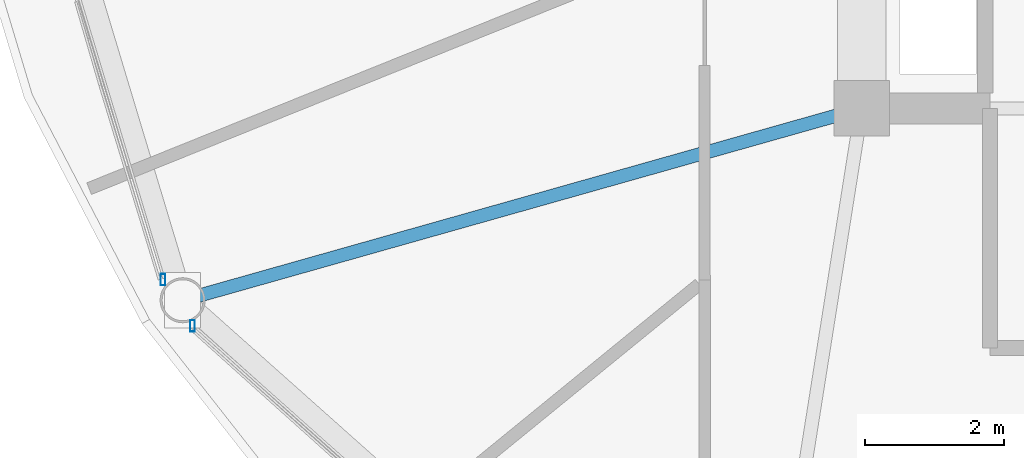
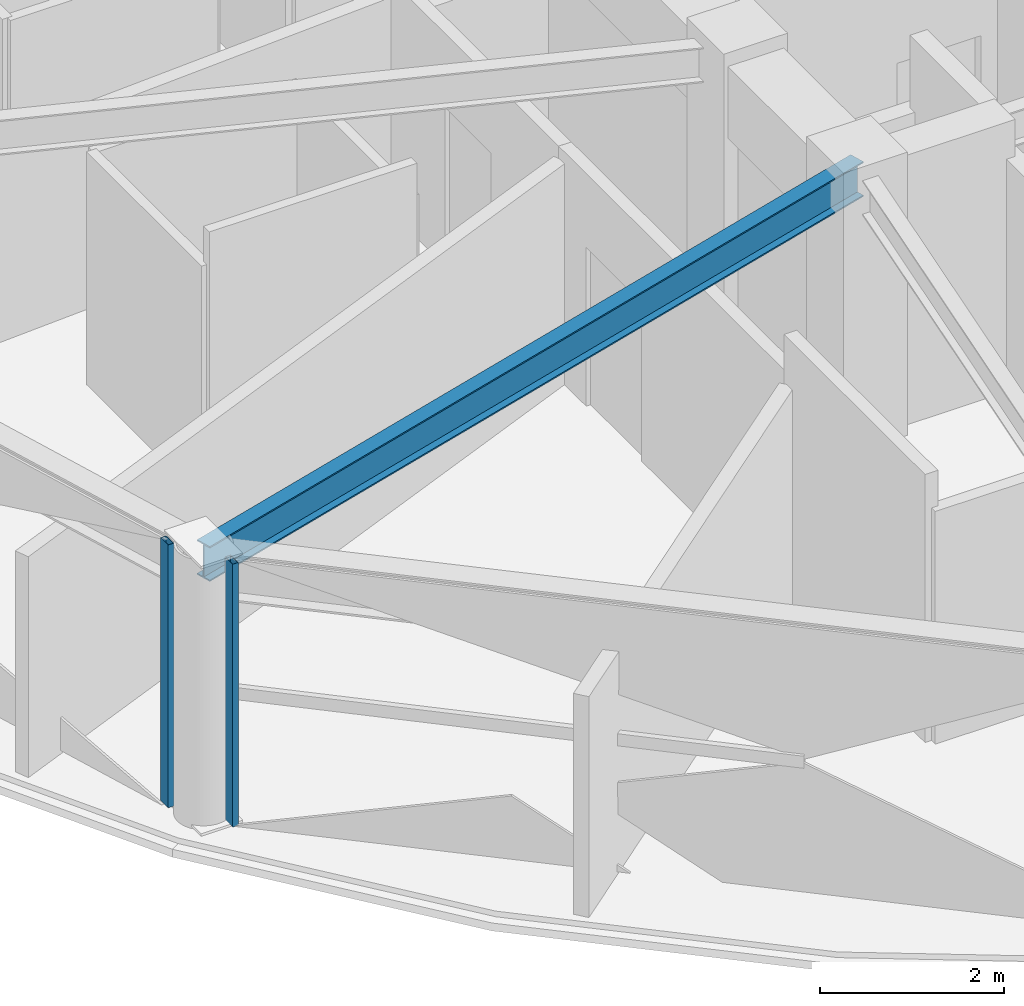
# One storey, part 3 of 30: 2 members, 1 beam, 2 elements without a shape of their own.
"""IFC4 building model written with IfcOpenShell, lengths in metres."""

from ifc_helpers import new_model, si_unit, direction, frame, origin, origin_2d, place, context, subcontext, project, spatial, hollow_rectangle, i_section, extrude, material, layer, layer_set, material_profile, profile_set, type_object, element, aggregate, save


model = new_model("IFC4")

# Units and contexts
model_context = context("Model", 3, precision=1e-05, world=origin(), true_north=direction((0.0, 1.0)))
body_context = subcontext(model_context, "Body", "Model", "MODEL_VIEW")
ifc_project = project(units=[si_unit("LENGTHUNIT", "METRE"), si_unit("AREAUNIT", "SQUARE_METRE"), si_unit("VOLUMEUNIT", "CUBIC_METRE"), si_unit("PLANEANGLEUNIT", "RADIAN"), si_unit("MASSUNIT", "GRAM", prefix="KILO")], contexts=[model_context])

# Site, building, storey
site_placement = place(None, origin())
site = spatial("IfcSite", under=ifc_project, at=site_placement, CompositionType="ELEMENT")
building_placement = place(site_placement, origin())
building = spatial("IfcBuilding", under=site, at=building_placement, Name="Vantalir Tower", CompositionType="ELEMENT")
storey_placement = place(building_placement, frame((0.0, 0.0, 201.14990234375)))
storey = spatial("IfcBuildingStorey", under=building, at=storey_placement, Name="L50", CompositionType="ELEMENT", Elevation=201.14990234375)

# Beam
ifc_material_1 = material(Name="Steel S355", Category="steel")
ifc_material_profile_1 = material_profile(ifc_material_1, i_section(OverallWidth=0.19189453125, OverallDepth=0.462890625, WebThickness=0.010498046875, FlangeThickness=0.017578125, at=origin_2d()), Name="Steel S355")
ifc_profile_set_1 = profile_set([ifc_material_profile_1], Name="Steel S355")
beam_type = type_object("IfcBeamType", Name="BM-RB-457x191", PredefinedType="BEAM", material=ifc_profile_set_1)
beam_placement = place(storey_placement, frame((12.116943359375, 15.037109375, 3.338134765625), z_axis=(0.962355981601, 0.271792135055, 0.0), x_axis=(-0.271792135055, 0.962355981601, 0.0)))
element("IfcBeam", 1, at=beam_placement, inside=storey, type_object=beam_type, Name="L50 Radial Floor Beam 08", PredefinedType="BEAM", context=body_context, shape_type="SweptSolid", body=[
    extrude(i_section(OverallWidth=0.19189453125, OverallDepth=0.462890625, WebThickness=0.010498046875, FlangeThickness=0.017578125, at=origin_2d()), origin(), (0.0, 0.0, 1.0), 10.16552734375),
])

# Curtain wall, member
ifc_material_2 = material(Name="Champagne-silver PVDF aluminium and double-silver Low-E glass", Category="aluminium")
ifc_layer = layer(ifc_material_2, 0.2099609375)
ifc_layer_set = layer_set([ifc_layer], Name="Champagne-silver PVDF aluminium and double-silver Low-E glass")
curtain_wall_type = type_object("IfcCurtainWallType", Name="CW-DIAMOND-Z3", PredefinedType="USERDEFINED", material=ifc_layer_set)
curtain_wall_1_placement = place(storey_placement, origin())
curtain_wall_1 = element("IfcCurtainWall", 2, at=curtain_wall_1_placement, inside=storey, type_object=curtain_wall_type, Name="L50 Quilted Pyramid-Diamond Curtain Wall S07", ObjectType="UNITISED CURTAIN WALL", PredefinedType="USERDEFINED")
ifc_material_3 = material(Name="Champagne-silver PVDF aluminium 6063-T6", Category="aluminium")
ifc_material_profile_2 = material_profile(ifc_material_3, hollow_rectangle(XDim=0.070068359375, YDim=0.1650390625, WallThickness=0.00390625, at=origin_2d()), Name="Champagne-silver PVDF aluminium 6063-T6")
ifc_profile_set_2 = profile_set([ifc_material_profile_2], Name="Champagne-silver PVDF aluminium 6063-T6")
member_type = type_object("IfcMemberType", Name="CWM-165x70", PredefinedType="MULLION", material=ifc_profile_set_2)
member_1_placement = place(storey_placement, frame((11.833984375, 15.3349609375, 0.045166015625), z_axis=(0.0, 0.0, 1.0), x_axis=(1.0, 0.0, 0.0)))
member_1 = element("IfcMember", 3, at=member_1_placement, type_object=member_type, Name="CW-L50-S07 Mullion 2", PredefinedType="MULLION", context=body_context, shape_type="SweptSolid", body=[
    extrude(hollow_rectangle(XDim=0.070068359375, YDim=0.1650390625, WallThickness=0.00390625, at=origin_2d()), origin(), (0.0, 0.0, 1.0), 3.47998046875),
])
aggregate(curtain_wall_1, [member_1])

curtain_wall_2_placement = place(storey_placement, origin())
curtain_wall_2 = element("IfcCurtainWall", 4, at=curtain_wall_2_placement, inside=storey, type_object=curtain_wall_type, Name="L50 Quilted Pyramid-Diamond Curtain Wall S08", ObjectType="UNITISED CURTAIN WALL", PredefinedType="USERDEFINED")
member_2_placement = place(storey_placement, frame((12.258056640625, 14.6689453125, 0.045166015625), z_axis=(0.0, 0.0, 1.0), x_axis=(1.0, 0.0, 0.0)))
member_2 = element("IfcMember", 5, at=member_2_placement, type_object=member_type, Name="CW-L50-S08 Mullion 1", PredefinedType="MULLION", context=body_context, shape_type="SweptSolid", body=[
    extrude(hollow_rectangle(XDim=0.070068359375, YDim=0.1650390625, WallThickness=0.00390625, at=origin_2d()), origin(), (0.0, 0.0, 1.0), 3.47998046875),
])
aggregate(curtain_wall_2, [member_2])

save(model, "model.ifc")
